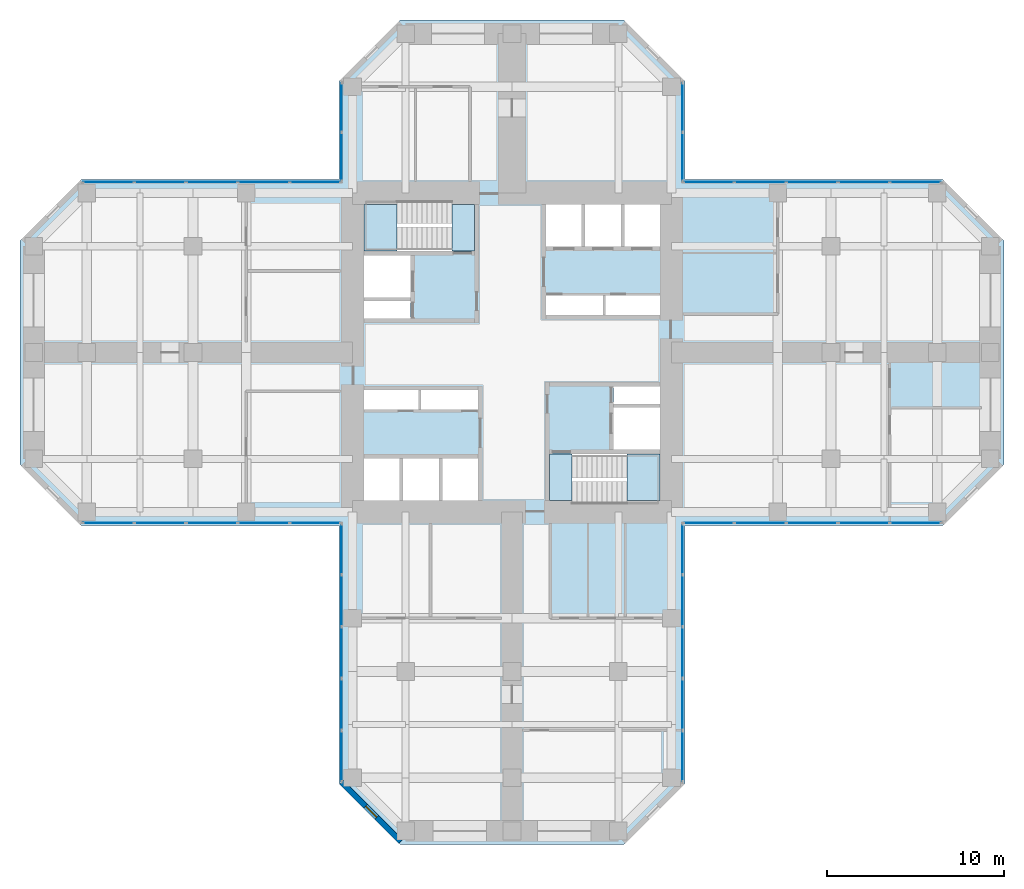
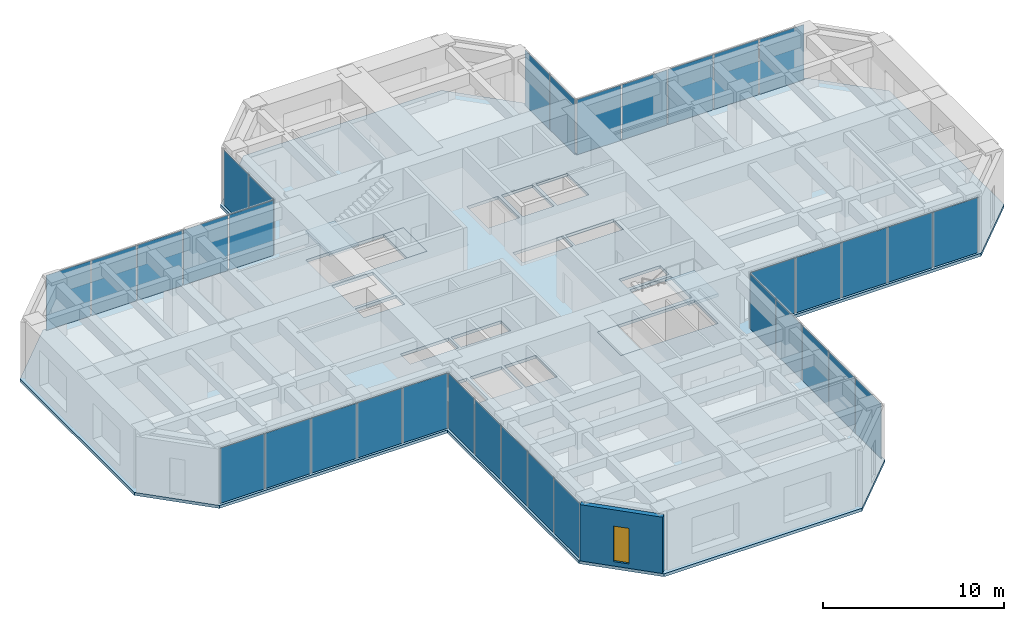
# One storey, part 7 of 12: 34 plates, 5 slabs, 1 wall, 1 window, 1 opening, 10 elements without a shape of their own.
"""IFC4 building model written with IfcOpenShell, lengths in metres."""

from ifc_helpers import new_model, si_unit, direction, frame, frame_2d, origin, origin_2d, place, context, subcontext, project, spatial, polyline, rectangle, hollow_rectangle, outline, extrude, material, layer, layer_set, constituent, constituent_set, type_object, element, fill, aggregate, save


model = new_model("IFC4")

# Units and contexts
model_context = context("Model", 3, precision=1e-05, world=origin(), true_north=direction((0.0, 1.0)))
body_context = subcontext(model_context, "Body", "Model", "MODEL_VIEW")
ifc_project = project(units=[si_unit("LENGTHUNIT", "METRE"), si_unit("AREAUNIT", "SQUARE_METRE"), si_unit("VOLUMEUNIT", "CUBIC_METRE"), si_unit("PLANEANGLEUNIT", "RADIAN"), si_unit("MASSUNIT", "GRAM", prefix="KILO")], contexts=[model_context])

# Site, building, storey
site_placement = place(None, origin())
site = spatial("IfcSite", under=ifc_project, at=site_placement, CompositionType="ELEMENT")
building_placement = place(site_placement, origin())
building = spatial("IfcBuilding", under=site, at=building_placement, Name="Torre Cruceta", CompositionType="ELEMENT")
storey_placement = place(building_placement, frame((0.0, 0.0, 116.5)))
storey = spatial("IfcBuildingStorey", under=building, at=storey_placement, Name="L28", CompositionType="ELEMENT", Elevation=116.5)

# Curtain wall, plate
ifc_material_1 = material(Name="Aluminium unitised curtain wall", Category="aluminium")
curtain_wall_type = type_object("IfcCurtainWallType", Name="CURTAIN WALL CW-B OFFICE MID RISE", PredefinedType="USERDEFINED", material=ifc_material_1)
curtain_wall_1_placement = place(storey_placement, origin())
curtain_wall_1 = element("IfcCurtainWall", 1, at=curtain_wall_1_placement, inside=storey, type_object=curtain_wall_type, Name="CW-B L28 E side 00", ObjectType="UNITISED", PredefinedType="USERDEFINED")
ifc_material_2 = material(Name="Laminated insulating glass unit, low-iron clear", Category="glass")
ifc_material_3 = material(Name="Laminated insulating glass unit, diagonal frit 50 %", Category="glass")
ifc_layer_1 = layer(ifc_material_3, 0.031982421875)
ifc_layer_set_1 = layer_set([ifc_layer_1], Name="Laminated insulating glass unit, diagonal frit 50 %")
plate_type_1 = type_object("IfcPlateType", Name="CW-B OPERABLE VENT PANEL 32", PredefinedType="CURTAIN_PANEL", material=ifc_layer_set_1)
plate_1_placement = place(storey_placement, frame((16.9384765625, -9.6201171875, 0.010009765625), z_axis=(0.0, 0.0, 1.0), x_axis=(1.0, 0.0, 0.0)))
plate_1 = element("IfcPlate", 2, at=plate_1_placement, type_object=plate_type_1, material=ifc_material_2, Name="CW-B vent 3", PredefinedType="CURTAIN_PANEL", context=body_context, shape_type="SweptSolid", body=[
    extrude(rectangle(XDim=2.8623046875, YDim=0.031982421875, at=origin_2d()), origin(), (0.0, 0.0, 1.0), 3.72509765625),
])

curtain_wall_2_placement = place(storey_placement, origin())
curtain_wall_2 = element("IfcCurtainWall", 3, at=curtain_wall_2_placement, inside=storey, type_object=curtain_wall_type, Name="CW-B L28 E side 04", ObjectType="UNITISED", PredefinedType="USERDEFINED")
plate_2_placement = place(storey_placement, frame((16.9384765625, 9.6201171875, 0.010009765625), z_axis=(0.0, 0.0, 1.0), x_axis=(-1.0, 0.0, 0.0)))
plate_2 = element("IfcPlate", 4, at=plate_2_placement, type_object=plate_type_1, material=ifc_material_2, Name="CW-B vent 3", PredefinedType="CURTAIN_PANEL", context=body_context, shape_type="SweptSolid", body=[
    extrude(rectangle(XDim=2.8623046875, YDim=0.031982421875, at=origin_2d()), origin(), (0.0, 0.0, 1.0), 3.72509765625),
])

curtain_wall_3_placement = place(storey_placement, origin())
curtain_wall_3 = element("IfcCurtainWall", 5, at=curtain_wall_3_placement, inside=storey, type_object=curtain_wall_type, Name="CW-B L28 W side 10", ObjectType="UNITISED", PredefinedType="USERDEFINED")
plate_3_placement = place(storey_placement, frame((-16.9384765625, 9.6201171875, 0.010009765625), z_axis=(0.0, 0.0, 1.0), x_axis=(-1.0, 0.0, 0.0)))
plate_3 = element("IfcPlate", 6, at=plate_3_placement, type_object=plate_type_1, material=ifc_material_2, Name="CW-B vent 3", PredefinedType="CURTAIN_PANEL", context=body_context, shape_type="SweptSolid", body=[
    extrude(rectangle(XDim=2.8623046875, YDim=0.031982421875, at=origin_2d()), origin(), (0.0, 0.0, 1.0), 3.72509765625),
])

curtain_wall_4_placement = place(storey_placement, origin())
curtain_wall_4 = element("IfcCurtainWall", 7, at=curtain_wall_4_placement, inside=storey, type_object=curtain_wall_type, Name="CW-B L28 W side 14", ObjectType="UNITISED", PredefinedType="USERDEFINED")
plate_4_placement = place(storey_placement, frame((-16.9384765625, -9.6201171875, 0.010009765625), z_axis=(0.0, 0.0, 1.0), x_axis=(1.0, 0.0, 0.0)))
plate_4 = element("IfcPlate", 8, at=plate_4_placement, type_object=plate_type_1, material=ifc_material_2, Name="CW-B vent 3", PredefinedType="CURTAIN_PANEL", context=body_context, shape_type="SweptSolid", body=[
    extrude(rectangle(XDim=2.8623046875, YDim=0.031982421875, at=origin_2d()), origin(), (0.0, 0.0, 1.0), 3.72509765625),
])

curtain_wall_5_placement = place(storey_placement, origin())
curtain_wall_5 = element("IfcCurtainWall", 9, at=curtain_wall_5_placement, inside=storey, type_object=curtain_wall_type, Name="CW-B L28 S side 15", ObjectType="UNITISED", PredefinedType="USERDEFINED")
plate_5_placement = place(storey_placement, frame((-9.6201171875, -16.9384765625, 0.010009765625), z_axis=(0.0, 0.0, 1.0), x_axis=(0.0, -1.0, 0.0)))
plate_5 = element("IfcPlate", 10, at=plate_5_placement, type_object=plate_type_1, material=ifc_material_2, Name="CW-B vent 3", PredefinedType="CURTAIN_PANEL", context=body_context, shape_type="SweptSolid", body=[
    extrude(rectangle(XDim=2.8623046875, YDim=0.031982421875, at=origin_2d()), origin(), (0.0, 0.0, 1.0), 3.72509765625),
])

curtain_wall_6_placement = place(storey_placement, origin())
curtain_wall_6 = element("IfcCurtainWall", 11, at=curtain_wall_6_placement, inside=storey, type_object=curtain_wall_type, Name="CW-B L28 S side 19", ObjectType="UNITISED", PredefinedType="USERDEFINED")
plate_6_placement = place(storey_placement, frame((9.6201171875, -16.9384765625, 0.010009765625), z_axis=(0.0, 0.0, 1.0), x_axis=(0.0, 1.0, 0.0)))
plate_6 = element("IfcPlate", 12, at=plate_6_placement, type_object=plate_type_1, material=ifc_material_2, Name="CW-B vent 3", PredefinedType="CURTAIN_PANEL", context=body_context, shape_type="SweptSolid", body=[
    extrude(rectangle(XDim=2.8623046875, YDim=0.031982421875, at=origin_2d()), origin(), (0.0, 0.0, 1.0), 3.72509765625),
])

# Plate
ifc_material_4 = material(Name="Laminated insulating glass unit, diagonal frit 50 %", Category="glass")
ifc_material_5 = material(Name="Laminated insulating glass unit, diagonal frit 50 %", Category="glass")
ifc_layer_2 = layer(ifc_material_5, 0.031982421875)
ifc_layer_set_2 = layer_set([ifc_layer_2], Name="Laminated insulating glass unit, diagonal frit 50 %")
plate_type_2 = type_object("IfcPlateType", Name="CW-B PANEL 32", PredefinedType="CURTAIN_PANEL", material=ifc_layer_set_2)
plate_7_placement = place(storey_placement, frame((11.099853515625, -9.6201171875, 0.010009765625), z_axis=(0.0, 0.0, 1.0), x_axis=(1.0, 0.0, 0.0)))
plate_7 = element("IfcPlate", 13, at=plate_7_placement, type_object=plate_type_2, material=ifc_material_4, Name="CW-B panel 1", PredefinedType="CURTAIN_PANEL", context=body_context, shape_type="SweptSolid", body=[
    extrude(rectangle(XDim=2.829833984375, YDim=0.031982421875, at=origin_2d()), origin(), (0.0, 0.0, 1.0), 3.72509765625),
])

plate_8_placement = place(storey_placement, frame((14.010986328125, -9.6201171875, 0.010009765625), z_axis=(0.0, 0.0, 1.0), x_axis=(1.0, 0.0, 0.0)))
plate_8 = element("IfcPlate", 14, at=plate_8_placement, type_object=plate_type_2, material=ifc_material_4, Name="CW-B panel 2", PredefinedType="CURTAIN_PANEL", context=body_context, shape_type="SweptSolid", body=[
    extrude(rectangle(XDim=2.8623046875, YDim=0.031982421875, at=origin_2d()), origin(), (0.0, 0.0, 1.0), 3.72509765625),
])

plate_9_placement = place(storey_placement, frame((19.86572265625, -9.6201171875, 0.010009765625), z_axis=(0.0, 0.0, 1.0), x_axis=(1.0, 0.0, 0.0)))
plate_9 = element("IfcPlate", 15, at=plate_9_placement, type_object=plate_type_2, material=ifc_material_2, Name="CW-B panel 4", PredefinedType="CURTAIN_PANEL", context=body_context, shape_type="SweptSolid", body=[
    extrude(rectangle(XDim=2.8623046875, YDim=0.031982421875, at=origin_2d()), origin(), (0.0, 0.0, 1.0), 3.72509765625),
])

plate_10_placement = place(storey_placement, frame((22.77685546875, -9.6201171875, 0.010009765625), z_axis=(0.0, 0.0, 1.0), x_axis=(1.0, 0.0, 0.0)))
plate_10 = element("IfcPlate", 16, at=plate_10_placement, type_object=plate_type_2, material=ifc_material_4, Name="CW-B panel 5", PredefinedType="CURTAIN_PANEL", context=body_context, shape_type="SweptSolid", body=[
    extrude(rectangle(XDim=2.829833984375, YDim=0.031982421875, at=origin_2d()), origin(), (0.0, 0.0, 1.0), 3.72509765625),
])

aggregate(curtain_wall_1, [plate_7, plate_8, plate_1, plate_9, plate_10])

plate_11_placement = place(storey_placement, frame((22.77685546875, 9.6201171875, 0.010009765625), z_axis=(0.0, 0.0, 1.0), x_axis=(-1.0, 0.0, 0.0)))
plate_11 = element("IfcPlate", 17, at=plate_11_placement, type_object=plate_type_2, material=ifc_material_4, Name="CW-B panel 1", PredefinedType="CURTAIN_PANEL", context=body_context, shape_type="SweptSolid", body=[
    extrude(rectangle(XDim=2.829833984375, YDim=0.031982421875, at=origin_2d()), origin(), (0.0, 0.0, 1.0), 3.72509765625),
])

plate_12_placement = place(storey_placement, frame((19.86572265625, 9.6201171875, 0.010009765625), z_axis=(0.0, 0.0, 1.0), x_axis=(-1.0, 0.0, 0.0)))
plate_12 = element("IfcPlate", 18, at=plate_12_placement, type_object=plate_type_2, material=ifc_material_4, Name="CW-B panel 2", PredefinedType="CURTAIN_PANEL", context=body_context, shape_type="SweptSolid", body=[
    extrude(rectangle(XDim=2.8623046875, YDim=0.031982421875, at=origin_2d()), origin(), (0.0, 0.0, 1.0), 3.72509765625),
])

plate_13_placement = place(storey_placement, frame((14.010986328125, 9.6201171875, 0.010009765625), z_axis=(0.0, 0.0, 1.0), x_axis=(-1.0, 0.0, 0.0)))
plate_13 = element("IfcPlate", 19, at=plate_13_placement, type_object=plate_type_2, material=ifc_material_2, Name="CW-B panel 4", PredefinedType="CURTAIN_PANEL", context=body_context, shape_type="SweptSolid", body=[
    extrude(rectangle(XDim=2.8623046875, YDim=0.031982421875, at=origin_2d()), origin(), (0.0, 0.0, 1.0), 3.72509765625),
])

plate_14_placement = place(storey_placement, frame((11.099853515625, 9.6201171875, 0.010009765625), z_axis=(0.0, 0.0, 1.0), x_axis=(-1.0, 0.0, 0.0)))
plate_14 = element("IfcPlate", 20, at=plate_14_placement, type_object=plate_type_2, material=ifc_material_4, Name="CW-B panel 5", PredefinedType="CURTAIN_PANEL", context=body_context, shape_type="SweptSolid", body=[
    extrude(rectangle(XDim=2.829833984375, YDim=0.031982421875, at=origin_2d()), origin(), (0.0, 0.0, 1.0), 3.72509765625),
])

aggregate(curtain_wall_2, [plate_11, plate_12, plate_2, plate_13, plate_14])

# Curtain wall, plates
curtain_wall_7_placement = place(storey_placement, origin())
curtain_wall_7 = element("IfcCurtainWall", 21, at=curtain_wall_7_placement, inside=storey, type_object=curtain_wall_type, Name="CW-B L28 N side 05", ObjectType="UNITISED", PredefinedType="USERDEFINED")
plate_15_placement = place(storey_placement, frame((9.6201171875, 11.04541015625, 0.010009765625), z_axis=(0.0, 0.0, 1.0), x_axis=(0.0, 1.0, 0.0)))
plate_15 = element("IfcPlate", 22, at=plate_15_placement, type_object=plate_type_2, material=ifc_material_4, Name="CW-B panel 1", PredefinedType="CURTAIN_PANEL", context=body_context, shape_type="SweptSolid", body=[
    extrude(rectangle(XDim=2.720947265625, YDim=0.031982421875, at=origin_2d()), origin(), (0.0, 0.0, 1.0), 3.72509765625),
])
plate_16_placement = place(storey_placement, frame((9.6201171875, 13.831298828125, 0.010009765625), z_axis=(0.0, 0.0, 1.0), x_axis=(0.0, 1.0, 0.0)))
plate_16 = element("IfcPlate", 23, at=plate_16_placement, type_object=plate_type_2, material=ifc_material_4, Name="CW-B panel 2", PredefinedType="CURTAIN_PANEL", context=body_context, shape_type="SweptSolid", body=[
    extrude(rectangle(XDim=2.720947265625, YDim=0.031982421875, at=origin_2d()), origin(), (0.0, 0.0, 1.0), 3.72509765625),
])
aggregate(curtain_wall_7, [plate_15, plate_16])

curtain_wall_8_placement = place(storey_placement, origin())
curtain_wall_8 = element("IfcCurtainWall", 24, at=curtain_wall_8_placement, inside=storey, type_object=curtain_wall_type, Name="CW-B L28 N side 09", ObjectType="UNITISED", PredefinedType="USERDEFINED")
plate_17_placement = place(storey_placement, frame((-9.6201171875, 13.831298828125, 0.010009765625), z_axis=(0.0, 0.0, 1.0), x_axis=(0.0, -1.0, 0.0)))
plate_17 = element("IfcPlate", 25, at=plate_17_placement, type_object=plate_type_2, material=ifc_material_4, Name="CW-B panel 1", PredefinedType="CURTAIN_PANEL", context=body_context, shape_type="SweptSolid", body=[
    extrude(rectangle(XDim=2.720947265625, YDim=0.031982421875, at=origin_2d()), origin(), (0.0, 0.0, 1.0), 3.72509765625),
])
plate_18_placement = place(storey_placement, frame((-9.6201171875, 11.04541015625, 0.010009765625), z_axis=(0.0, 0.0, 1.0), x_axis=(0.0, -1.0, 0.0)))
plate_18 = element("IfcPlate", 26, at=plate_18_placement, type_object=plate_type_2, material=ifc_material_4, Name="CW-B panel 2", PredefinedType="CURTAIN_PANEL", context=body_context, shape_type="SweptSolid", body=[
    extrude(rectangle(XDim=2.720947265625, YDim=0.031982421875, at=origin_2d()), origin(), (0.0, 0.0, 1.0), 3.72509765625),
])
aggregate(curtain_wall_8, [plate_17, plate_18])

# Plate
plate_19_placement = place(storey_placement, frame((-11.099853515625, 9.6201171875, 0.010009765625), z_axis=(0.0, 0.0, 1.0), x_axis=(-1.0, 0.0, 0.0)))
plate_19 = element("IfcPlate", 27, at=plate_19_placement, type_object=plate_type_2, material=ifc_material_4, Name="CW-B panel 1", PredefinedType="CURTAIN_PANEL", context=body_context, shape_type="SweptSolid", body=[
    extrude(rectangle(XDim=2.829833984375, YDim=0.031982421875, at=origin_2d()), origin(), (0.0, 0.0, 1.0), 3.72509765625),
])

plate_20_placement = place(storey_placement, frame((-14.010986328125, 9.6201171875, 0.010009765625), z_axis=(0.0, 0.0, 1.0), x_axis=(-1.0, 0.0, 0.0)))
plate_20 = element("IfcPlate", 28, at=plate_20_placement, type_object=plate_type_2, material=ifc_material_4, Name="CW-B panel 2", PredefinedType="CURTAIN_PANEL", context=body_context, shape_type="SweptSolid", body=[
    extrude(rectangle(XDim=2.8623046875, YDim=0.031982421875, at=origin_2d()), origin(), (0.0, 0.0, 1.0), 3.72509765625),
])

plate_21_placement = place(storey_placement, frame((-19.86572265625, 9.6201171875, 0.010009765625), z_axis=(0.0, 0.0, 1.0), x_axis=(-1.0, 0.0, 0.0)))
plate_21 = element("IfcPlate", 29, at=plate_21_placement, type_object=plate_type_2, material=ifc_material_2, Name="CW-B panel 4", PredefinedType="CURTAIN_PANEL", context=body_context, shape_type="SweptSolid", body=[
    extrude(rectangle(XDim=2.8623046875, YDim=0.031982421875, at=origin_2d()), origin(), (0.0, 0.0, 1.0), 3.72509765625),
])

plate_22_placement = place(storey_placement, frame((-22.77685546875, 9.6201171875, 0.010009765625), z_axis=(0.0, 0.0, 1.0), x_axis=(-1.0, 0.0, 0.0)))
plate_22 = element("IfcPlate", 30, at=plate_22_placement, type_object=plate_type_2, material=ifc_material_4, Name="CW-B panel 5", PredefinedType="CURTAIN_PANEL", context=body_context, shape_type="SweptSolid", body=[
    extrude(rectangle(XDim=2.829833984375, YDim=0.031982421875, at=origin_2d()), origin(), (0.0, 0.0, 1.0), 3.72509765625),
])

aggregate(curtain_wall_3, [plate_19, plate_20, plate_3, plate_21, plate_22])

plate_23_placement = place(storey_placement, frame((-22.77685546875, -9.6201171875, 0.010009765625), z_axis=(0.0, 0.0, 1.0), x_axis=(1.0, 0.0, 0.0)))
plate_23 = element("IfcPlate", 31, at=plate_23_placement, type_object=plate_type_2, material=ifc_material_4, Name="CW-B panel 1", PredefinedType="CURTAIN_PANEL", context=body_context, shape_type="SweptSolid", body=[
    extrude(rectangle(XDim=2.829833984375, YDim=0.031982421875, at=origin_2d()), origin(), (0.0, 0.0, 1.0), 3.72509765625),
])

plate_24_placement = place(storey_placement, frame((-19.86572265625, -9.6201171875, 0.010009765625), z_axis=(0.0, 0.0, 1.0), x_axis=(1.0, 0.0, 0.0)))
plate_24 = element("IfcPlate", 32, at=plate_24_placement, type_object=plate_type_2, material=ifc_material_4, Name="CW-B panel 2", PredefinedType="CURTAIN_PANEL", context=body_context, shape_type="SweptSolid", body=[
    extrude(rectangle(XDim=2.8623046875, YDim=0.031982421875, at=origin_2d()), origin(), (0.0, 0.0, 1.0), 3.72509765625),
])

plate_25_placement = place(storey_placement, frame((-14.010986328125, -9.6201171875, 0.010009765625), z_axis=(0.0, 0.0, 1.0), x_axis=(1.0, 0.0, 0.0)))
plate_25 = element("IfcPlate", 33, at=plate_25_placement, type_object=plate_type_2, material=ifc_material_2, Name="CW-B panel 4", PredefinedType="CURTAIN_PANEL", context=body_context, shape_type="SweptSolid", body=[
    extrude(rectangle(XDim=2.8623046875, YDim=0.031982421875, at=origin_2d()), origin(), (0.0, 0.0, 1.0), 3.72509765625),
])

plate_26_placement = place(storey_placement, frame((-11.099853515625, -9.6201171875, 0.010009765625), z_axis=(0.0, 0.0, 1.0), x_axis=(1.0, 0.0, 0.0)))
plate_26 = element("IfcPlate", 34, at=plate_26_placement, type_object=plate_type_2, material=ifc_material_4, Name="CW-B panel 5", PredefinedType="CURTAIN_PANEL", context=body_context, shape_type="SweptSolid", body=[
    extrude(rectangle(XDim=2.829833984375, YDim=0.031982421875, at=origin_2d()), origin(), (0.0, 0.0, 1.0), 3.72509765625),
])

aggregate(curtain_wall_4, [plate_23, plate_24, plate_4, plate_25, plate_26])

plate_27_placement = place(storey_placement, frame((-9.6201171875, -11.099853515625, 0.010009765625), z_axis=(0.0, 0.0, 1.0), x_axis=(0.0, -1.0, 0.0)))
plate_27 = element("IfcPlate", 35, at=plate_27_placement, type_object=plate_type_2, material=ifc_material_4, Name="CW-B panel 1", PredefinedType="CURTAIN_PANEL", context=body_context, shape_type="SweptSolid", body=[
    extrude(rectangle(XDim=2.829833984375, YDim=0.031982421875, at=origin_2d()), origin(), (0.0, 0.0, 1.0), 3.72509765625),
])

plate_28_placement = place(storey_placement, frame((-9.6201171875, -14.010986328125, 0.010009765625), z_axis=(0.0, 0.0, 1.0), x_axis=(0.0, -1.0, 0.0)))
plate_28 = element("IfcPlate", 36, at=plate_28_placement, type_object=plate_type_2, material=ifc_material_4, Name="CW-B panel 2", PredefinedType="CURTAIN_PANEL", context=body_context, shape_type="SweptSolid", body=[
    extrude(rectangle(XDim=2.8623046875, YDim=0.031982421875, at=origin_2d()), origin(), (0.0, 0.0, 1.0), 3.72509765625),
])

plate_29_placement = place(storey_placement, frame((-9.6201171875, -19.86572265625, 0.010009765625), z_axis=(0.0, 0.0, 1.0), x_axis=(0.0, -1.0, 0.0)))
plate_29 = element("IfcPlate", 37, at=plate_29_placement, type_object=plate_type_2, material=ifc_material_2, Name="CW-B panel 4", PredefinedType="CURTAIN_PANEL", context=body_context, shape_type="SweptSolid", body=[
    extrude(rectangle(XDim=2.8623046875, YDim=0.031982421875, at=origin_2d()), origin(), (0.0, 0.0, 1.0), 3.72509765625),
])

plate_30_placement = place(storey_placement, frame((-9.6201171875, -22.77685546875, 0.010009765625), z_axis=(0.0, 0.0, 1.0), x_axis=(0.0, -1.0, 0.0)))
plate_30 = element("IfcPlate", 38, at=plate_30_placement, type_object=plate_type_2, material=ifc_material_4, Name="CW-B panel 5", PredefinedType="CURTAIN_PANEL", context=body_context, shape_type="SweptSolid", body=[
    extrude(rectangle(XDim=2.829833984375, YDim=0.031982421875, at=origin_2d()), origin(), (0.0, 0.0, 1.0), 3.72509765625),
])

aggregate(curtain_wall_5, [plate_27, plate_28, plate_5, plate_29, plate_30])

plate_31_placement = place(storey_placement, frame((9.6201171875, -22.77685546875, 0.010009765625), z_axis=(0.0, 0.0, 1.0), x_axis=(0.0, 1.0, 0.0)))
plate_31 = element("IfcPlate", 39, at=plate_31_placement, type_object=plate_type_2, material=ifc_material_4, Name="CW-B panel 1", PredefinedType="CURTAIN_PANEL", context=body_context, shape_type="SweptSolid", body=[
    extrude(rectangle(XDim=2.829833984375, YDim=0.031982421875, at=origin_2d()), origin(), (0.0, 0.0, 1.0), 3.72509765625),
])

plate_32_placement = place(storey_placement, frame((9.6201171875, -19.86572265625, 0.010009765625), z_axis=(0.0, 0.0, 1.0), x_axis=(0.0, 1.0, 0.0)))
plate_32 = element("IfcPlate", 40, at=plate_32_placement, type_object=plate_type_2, material=ifc_material_4, Name="CW-B panel 2", PredefinedType="CURTAIN_PANEL", context=body_context, shape_type="SweptSolid", body=[
    extrude(rectangle(XDim=2.8623046875, YDim=0.031982421875, at=origin_2d()), origin(), (0.0, 0.0, 1.0), 3.72509765625),
])

plate_33_placement = place(storey_placement, frame((9.6201171875, -14.010986328125, 0.010009765625), z_axis=(0.0, 0.0, 1.0), x_axis=(0.0, 1.0, 0.0)))
plate_33 = element("IfcPlate", 41, at=plate_33_placement, type_object=plate_type_2, material=ifc_material_2, Name="CW-B panel 4", PredefinedType="CURTAIN_PANEL", context=body_context, shape_type="SweptSolid", body=[
    extrude(rectangle(XDim=2.8623046875, YDim=0.031982421875, at=origin_2d()), origin(), (0.0, 0.0, 1.0), 3.72509765625),
])

plate_34_placement = place(storey_placement, frame((9.6201171875, -11.099853515625, 0.010009765625), z_axis=(0.0, 0.0, 1.0), x_axis=(0.0, 1.0, 0.0)))
plate_34 = element("IfcPlate", 42, at=plate_34_placement, type_object=plate_type_2, material=ifc_material_4, Name="CW-B panel 5", PredefinedType="CURTAIN_PANEL", context=body_context, shape_type="SweptSolid", body=[
    extrude(rectangle(XDim=2.829833984375, YDim=0.031982421875, at=origin_2d()), origin(), (0.0, 0.0, 1.0), 3.72509765625),
])

aggregate(curtain_wall_6, [plate_31, plate_32, plate_6, plate_33, plate_34])

# Slab
ifc_material_6 = material(Name="Concrete G35 (fck 35 MPa)", Category="concrete")
ifc_layer_3 = layer(ifc_material_6, 0.199951171875)
ifc_layer_set_3 = layer_set([ifc_layer_3], Name="Concrete G35 (fck 35 MPa)")
slab_type_1 = type_object("IfcSlabType", Name="FLOOR SLAB 200", PredefinedType="FLOOR", material=ifc_layer_set_3)
slab_1_placement = place(storey_placement, frame((0.0, 0.0, -0.199951171875)))
element("IfcSlab", 43, at=slab_1_placement, inside=storey, type_object=slab_type_1, Name="Floor Slab L28", PredefinedType="FLOOR", context=body_context, shape_type="SweptSolid", body=[
    extrude(outline(polyline([(9.77001953125, -9.77001953125), (9.77001953125, -24.31884765625), (6.31884765625, -27.77001953125), (-6.31884765625, -27.77001953125), (-9.77001953125, -24.31884765625), (-9.77001953125, -9.77001953125), (-24.31884765625, -9.77001953125), (-27.77001953125, -6.31884765625), (-27.77001953125, 6.31884765625), (-24.31884765625, 9.77001953125), (-9.77001953125, 9.77001953125), (-9.77001953125, 15.31884765625), (-6.31884765625, 18.77001953125), (6.31884765625, 18.77001953125), (9.77001953125, 15.31884765625), (9.77001953125, 9.77001953125), (24.31884765625, 9.77001953125), (27.77001953125, 6.31884765625), (27.77001953125, -6.31884765625), (24.31884765625, -9.77001953125), (9.77001953125, -9.77001953125)]), holes=[polyline([(1.925048828125, 5.97509765625), (3.933349609375, 5.97509765625), (3.933349609375, 8.35009765625), (1.925048828125, 8.35009765625), (1.925048828125, 5.97509765625)]), polyline([(4.13330078125, 5.97509765625), (6.1416015625, 5.97509765625), (6.1416015625, 8.35009765625), (4.13330078125, 8.35009765625), (4.13330078125, 5.97509765625)]), polyline([(6.341552734375, 5.97509765625), (8.35009765625, 5.97509765625), (8.35009765625, 8.35009765625), (6.341552734375, 8.35009765625), (6.341552734375, 5.97509765625)]), polyline([(1.925048828125, 2.125), (5.125, 2.125), (5.125, 3.22509765625), (1.925048828125, 3.22509765625), (1.925048828125, 2.125)]), polyline([(5.27490234375, 2.125), (8.35009765625, 2.125), (8.35009765625, 3.22509765625), (5.27490234375, 3.22509765625), (5.27490234375, 2.125)]), polyline([(-8.35009765625, 3.10009765625), (-5.72509765625, 3.10009765625), (-5.72509765625, 5.47509765625), (-8.35009765625, 5.47509765625), (-8.35009765625, 3.10009765625)]), polyline([(-8.35009765625, 1.925048828125), (-5.72509765625, 1.925048828125), (-5.72509765625, 2.89990234375), (-8.35009765625, 2.89990234375), (-8.35009765625, 1.925048828125)]), polyline([(-3.933349609375, -8.35009765625), (-1.925048828125, -8.35009765625), (-1.925048828125, -5.97509765625), (-3.933349609375, -5.97509765625), (-3.933349609375, -8.35009765625)]), polyline([(-6.1416015625, -8.35009765625), (-4.13330078125, -8.35009765625), (-4.13330078125, -5.97509765625), (-6.1416015625, -5.97509765625), (-6.1416015625, -8.35009765625)]), polyline([(-8.35009765625, -8.35009765625), (-6.341552734375, -8.35009765625), (-6.341552734375, -5.97509765625), (-8.35009765625, -5.97509765625), (-8.35009765625, -8.35009765625)]), polyline([(-5.125, -3.22509765625), (-1.925048828125, -3.22509765625), (-1.925048828125, -2.125), (-5.125, -2.125), (-5.125, -3.22509765625)]), polyline([(-8.35009765625, -3.22509765625), (-5.27490234375, -3.22509765625), (-5.27490234375, -2.125), (-8.35009765625, -2.125), (-8.35009765625, -3.22509765625)]), polyline([(5.72509765625, -5.47509765625), (8.35009765625, -5.47509765625), (8.35009765625, -3.10009765625), (5.72509765625, -3.10009765625), (5.72509765625, -5.47509765625)]), polyline([(5.72509765625, -2.89990234375), (8.35009765625, -2.89990234375), (8.35009765625, -1.925048828125), (5.72509765625, -1.925048828125), (5.72509765625, -2.89990234375)]), polyline([(-8.35009765625, 5.72509765625), (-8.35009765625, 8.35009765625), (-3.39990234375, 8.35009765625), (-2.125, 8.35009765625), (-2.125, 5.72509765625), (-3.39990234375, 5.72509765625), (-8.35009765625, 5.72509765625)]), polyline([(2.125, -5.72509765625), (3.39990234375, -5.72509765625), (8.35009765625, -5.72509765625), (8.35009765625, -8.35009765625), (3.39990234375, -8.35009765625), (2.125, -8.35009765625), (2.125, -5.72509765625)])]), origin(), (0.0, 0.0, 1.0), 0.199951171875),
])

# Stair, slab
ifc_material_7 = material(Name="Concrete G30 (fck 30 MPa)", Category="concrete")
stair_type = type_object("IfcStairType", Name="STAIR HALF-TURN 1300", PredefinedType="HALF_TURN_STAIR", material=ifc_material_7)
stair_1_placement = place(storey_placement, origin())
stair_1 = element("IfcStair", 44, at=stair_1_placement, inside=storey, type_object=stair_type, Name="Stair ST1 L28", PredefinedType="HALF_TURN_STAIR")
ifc_material_8 = material(Name="Concrete G30 (fck 30 MPa)", Category="concrete")
ifc_layer_4 = layer(ifc_material_8, 0.199951171875)
ifc_layer_set_4 = layer_set([ifc_layer_4], Name="Concrete G30 (fck 30 MPa)")
slab_type_2 = type_object("IfcSlabType", Name="STAIR LANDING 200", PredefinedType="LANDING", material=ifc_layer_set_4)
slab_2_placement = place(storey_placement, frame((0.0, 0.0, 1.800048828125)))
slab_2 = element("IfcSlab", 45, at=slab_2_placement, type_object=slab_type_2, Name="ST1 landing 1", PredefinedType="LANDING", context=body_context, shape_type="SweptSolid", body=[
    extrude(outline(polyline([(-8.35009765625, 5.72509765625), (-6.47998046875, 5.72509765625), (-6.47998046875, 8.35009765625), (-8.35009765625, 8.35009765625), (-8.35009765625, 5.72509765625)])), origin(), (0.0, 0.0, 1.0), 0.199951171875),
])
aggregate(stair_1, [slab_2])

stair_2_placement = place(storey_placement, origin())
stair_2 = element("IfcStair", 46, at=stair_2_placement, inside=storey, type_object=stair_type, Name="Stair ST2 L28", PredefinedType="HALF_TURN_STAIR")
slab_3_placement = place(storey_placement, frame((0.0, 0.0, 1.800048828125)))
slab_3 = element("IfcSlab", 47, at=slab_3_placement, type_object=slab_type_2, Name="ST2 landing 1", PredefinedType="LANDING", context=body_context, shape_type="SweptSolid", body=[
    extrude(outline(polyline([(6.47998046875, -8.35009765625), (8.35009765625, -8.35009765625), (8.35009765625, -5.72509765625), (6.47998046875, -5.72509765625), (6.47998046875, -8.35009765625)])), origin(), (0.0, 0.0, 1.0), 0.199951171875),
])
aggregate(stair_2, [slab_3])

# Slabs
slab_4_placement = place(storey_placement, frame((0.0, 0.0, -0.199951171875)))
element("IfcSlab", 48, at=slab_4_placement, inside=storey, type_object=slab_type_2, Name="Stair ST1 floor landing L28", PredefinedType="LANDING", context=body_context, shape_type="SweptSolid", body=[
    extrude(outline(polyline([(-2.125, 8.35009765625), (-2.125, 5.72509765625), (-3.39990234375, 5.72509765625), (-3.39990234375, 8.35009765625), (-2.125, 8.35009765625)])), origin(), (0.0, 0.0, 1.0), 0.199951171875),
])
slab_5_placement = place(storey_placement, frame((0.0, 0.0, -0.199951171875)))
element("IfcSlab", 49, at=slab_5_placement, inside=storey, type_object=slab_type_2, Name="Stair ST2 floor landing L28", PredefinedType="LANDING", context=body_context, shape_type="SweptSolid", body=[
    extrude(outline(polyline([(2.125, -8.35009765625), (2.125, -5.72509765625), (3.39990234375, -5.72509765625), (3.39990234375, -8.35009765625), (2.125, -8.35009765625)])), origin(), (0.0, 0.0, 1.0), 0.199951171875),
])

# Wall, opening, window
ifc_material_9 = material(Name="Concrete G30 (fck 30 MPa)", Category="concrete")
ifc_layer_5 = layer(ifc_material_9, 0.300048828125)
ifc_layer_set_5 = layer_set([ifc_layer_5], Name="Concrete G30 (fck 30 MPa)")
wall_type = type_object("IfcWallType", Name="EXPOSED CONCRETE FACADE WALL 300", PredefinedType="SOLIDWALL", material=ifc_layer_set_5)
wall_placement = place(storey_placement, frame((-9.6201171875, -24.2568359375, 0.0), z_axis=(0.0, 0.0, 1.0), x_axis=(0.707106781187, -0.707106781187, 0.0)))
wall = element("IfcWall", 50, at=wall_placement, inside=storey, type_object=wall_type, Name="EW1 facade wall L28 S chamfer 16", PredefinedType="SOLIDWALL", context=body_context, shape_type="SweptSolid", body=[
    extrude(rectangle(XDim=4.72802734375, YDim=0.300048828125, at=frame_2d((2.364013671875, 0.0))), origin(), (0.0, 0.0, 1.0), 3.800048828125),
])
opening_placement = place(wall_placement, frame((1.9140625, 0.0, 0.300048828125)))
opening = element("IfcOpeningElement", 51, at=opening_placement, cuts=wall, Name="Opening WN5", PredefinedType="OPENING", context=body_context, shape_type="SweptSolid", body=[
    extrude(rectangle(XDim=0.89990234375, YDim=2.39990234375, at=frame_2d((0.449951171875, 1.199951171875))), frame((0.0, 0.159912109375, 0.0), z_axis=(0.0, -1.0, 0.0), x_axis=(1.0, 0.0, 0.0)), (0.0, 0.0, 1.0), 0.320068359375),
])
ifc_material_10 = material(Name="Aluminium window frame", Category="aluminium")
ifc_constituent_1 = constituent(ifc_material_10, Name="Frame")
ifc_material_11 = material(Name="Laminated insulating glass unit, low-iron clear", Category="glass")
ifc_constituent_2 = constituent(ifc_material_11, Name="Glazing")
ifc_constituent_set = constituent_set(constituents=[ifc_constituent_1, ifc_constituent_2], Name="Aluminium window")
window_type = type_object("IfcWindowType", Name="CHAMFER SLOT WINDOW 900X2400", PartitioningType="SINGLE_PANEL", PredefinedType="WINDOW", material=ifc_constituent_set)
window_placement = place(opening_placement, origin())
window = element("IfcWindow", 52, at=window_placement, inside=storey, type_object=window_type, Name="WN5 L28 S 1", OverallHeight=2.39990234375, OverallWidth=0.89990234375, PartitioningType="SINGLE_PANEL", PredefinedType="WINDOW", context=body_context, shape_type="SweptSolid", body=[
    extrude(hollow_rectangle(XDim=0.89990234375, YDim=2.39990234375, WallThickness=0.06005859375, at=frame_2d((0.449951171875, 1.199951171875))), frame((0.0, 0.030029296875, 0.0), z_axis=(0.0, -1.0, 0.0), x_axis=(1.0, 0.0, 0.0)), (0.0, 0.0, 1.0), 0.06005859375),
    extrude(rectangle(XDim=0.77880859375, YDim=2.27880859375, at=frame_2d((0.449951171875, 1.199951171875))), frame((0.0, 0.030029296875, 0.0), z_axis=(0.0, -1.0, 0.0), x_axis=(1.0, 0.0, 0.0)), (0.0, 0.0, 1.0), 0.06005859375),
])
fill(opening, window)

save(model, "model.ifc")
